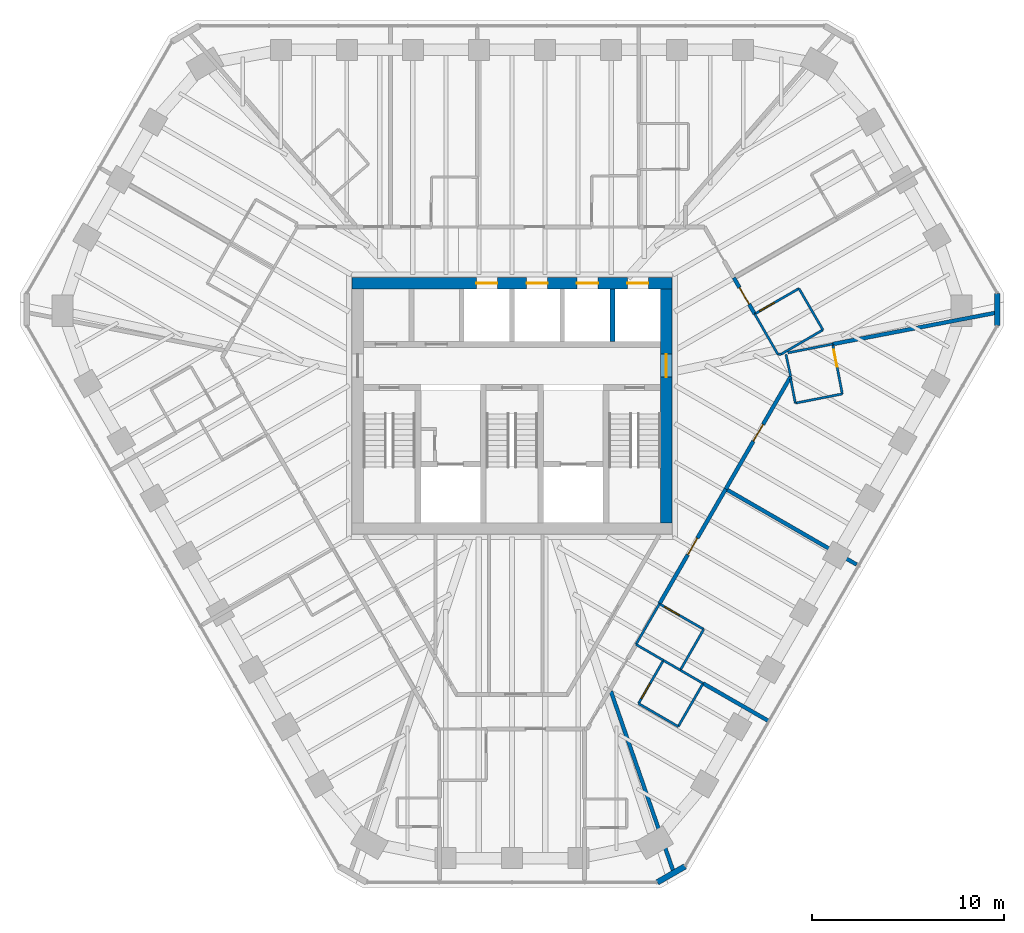
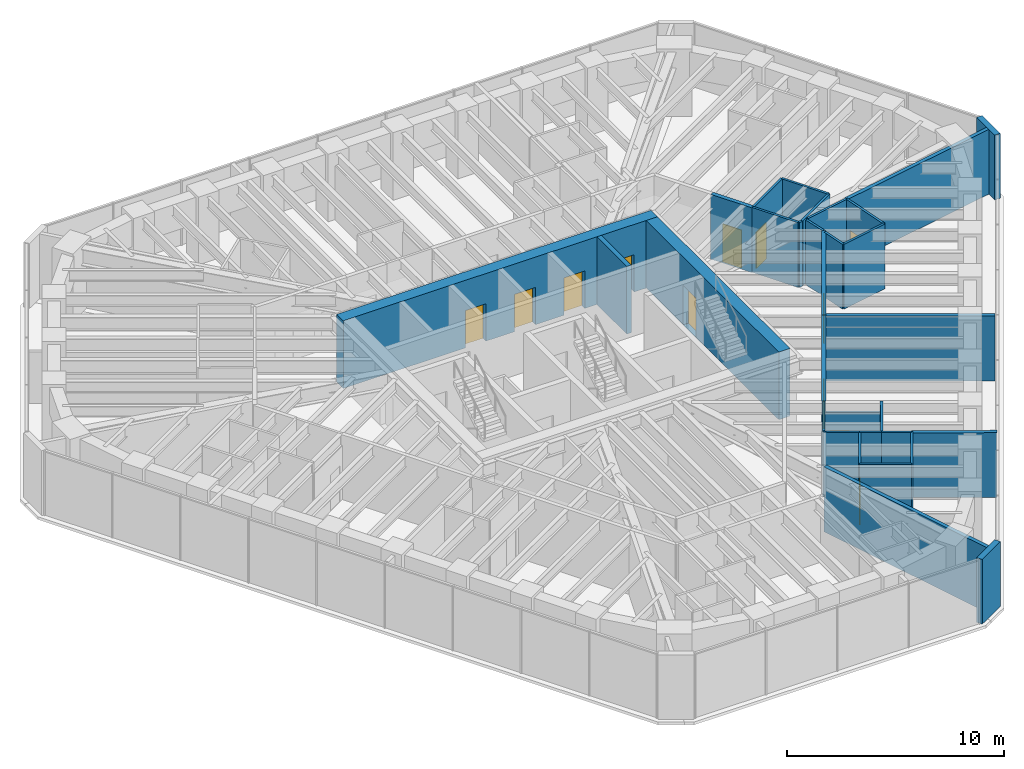
# One storey, part 11 of 14: 31 walls, 12 doors, 12 openings.
"""IFC4 building model written with IfcOpenShell, lengths in metres."""

from ifc_helpers import new_model, si_unit, direction, frame, frame_2d, origin, place, context, subcontext, project, spatial, rectangle, extrude, material, layer, layer_set, type_object, element, fill, save


model = new_model("IFC4")

# Units and contexts
model_context = context("Model", 3, precision=1e-05, world=origin(), true_north=direction((0.0, 1.0)))
body_context = subcontext(model_context, "Body", "Model", "MODEL_VIEW")
ifc_project = project(units=[si_unit("LENGTHUNIT", "METRE"), si_unit("AREAUNIT", "SQUARE_METRE"), si_unit("VOLUMEUNIT", "CUBIC_METRE"), si_unit("PLANEANGLEUNIT", "RADIAN"), si_unit("MASSUNIT", "GRAM", prefix="KILO")], contexts=[model_context])

# Site, building, storey
site_placement = place(None, origin())
site = spatial("IfcSite", under=ifc_project, at=site_placement, CompositionType="ELEMENT")
building_placement = place(site_placement, origin())
building = spatial("IfcBuilding", under=site, at=building_placement, Name="Sandreach Pilgrim Tower", CompositionType="ELEMENT")
storey_placement = place(building_placement, frame((0.0, 0.0, 268.39990234375)))
storey = spatial("IfcBuildingStorey", under=building, at=storey_placement, Name="L67", CompositionType="ELEMENT", Elevation=268.39990234375)

# Walls
ifc_material_1 = material(Name="Moisture-resistant gypsum board on steel studs", Category="steel")
ifc_layer_1 = layer(ifc_material_1, 0.1201171875)
ifc_layer_set_1 = layer_set([ifc_layer_1], Name="Bathroom partition 120")
wall_type_1 = type_object("IfcWallType", Name="Bathroom partition 120", PredefinedType="PARTITIONING", material=ifc_layer_set_1)
wall_1_placement = place(storey_placement, frame((6.46728515625, -12.448486328125, 0.0), z_axis=(0.0, 0.0, 1.0), x_axis=(0.499875104448, 0.866097500258, 0.0)))
element("IfcWall", 1, at=wall_1_placement, inside=storey, type_object=wall_type_1, Name="Bathroom partition L67-080", PredefinedType="PARTITIONING", context=body_context, shape_type="SweptSolid", body=[
    extrude(rectangle(XDim=2.446044921875, YDim=0.1201171875, at=frame_2d((1.22314453125, 0.0))), origin(), (0.0, 0.0, 1.0), 3.64013671875),
])
wall_2_placement = place(storey_placement, frame((6.469970703125, -12.449951171875, 0.0), z_axis=(0.0, 0.0, 1.0), x_axis=(0.864842719649, -0.502042896843, 0.0)))
element("IfcWall", 2, at=wall_2_placement, inside=storey, type_object=wall_type_1, Name="Bathroom partition L67-081", PredefinedType="PARTITIONING", context=body_context, shape_type="SweptSolid", body=[
    extrude(rectangle(XDim=1.6533203125, YDim=0.1201171875, at=frame_2d((0.82666015625, 0.0))), origin(), (0.0, 0.0, 1.0), 3.64013671875),
])
wall_3_placement = place(storey_placement, frame((6.60009765625, -15.530029296875, 0.0), z_axis=(0.0, 0.0, 1.0), x_axis=(0.865130376012, -0.501547039172, 0.0)))
element("IfcWall", 3, at=wall_3_placement, inside=storey, type_object=wall_type_1, Name="Bathroom partition L67-082", PredefinedType="PARTITIONING", context=body_context, shape_type="SweptSolid", body=[
    extrude(rectangle(XDim=2.392578125, YDim=0.1201171875, at=frame_2d((1.1962890625, 0.0))), origin(), (0.0, 0.0, 1.0), 3.64013671875),
])

# Wall, opening, door
wall_4_placement = place(storey_placement, frame((7.89990234375, -13.280029296875, 0.0), z_axis=(0.0, 0.0, 1.0), x_axis=(-0.500221244143, -0.865897630733, 0.0)))
wall_4 = element("IfcWall", 4, at=wall_4_placement, inside=storey, type_object=wall_type_1, Name="Bathroom partition L67-093", PredefinedType="PARTITIONING", context=body_context, shape_type="SweptSolid", body=[
    extrude(rectangle(XDim=2.598388671875, YDim=0.1201171875, at=frame_2d((1.29931640625, 0.0))), origin(), (0.0, 0.0, 1.0), 3.64013671875),
])
opening_1_placement = place(wall_4_placement, frame((1.398681640625, 0.0, 0.0)))
opening_1 = element("IfcOpeningElement", 5, at=opening_1_placement, cuts=wall_4, Name="Opening D09-09B", PredefinedType="OPENING", context=body_context, shape_type="SweptSolid", body=[
    extrude(rectangle(XDim=0.89990234375, YDim=2.030029296875, at=frame_2d((0.449951171875, 1.01513671875))), frame((0.0, 0.06005859375, 0.0), z_axis=(0.0, -1.0, 0.0), x_axis=(1.0, 0.0, 0.0)), (0.0, 0.0, 1.0), 0.1201171875),
])
ifc_material_2 = material(Name="Timber door, steel frame", Category="steel")
door_type_1 = type_object("IfcDoorType", Name="Bathroom door", OperationType="SINGLE_SWING_LEFT", PredefinedType="DOOR", material=ifc_material_2)
door_1_placement = place(opening_1_placement, origin())
door_1 = element("IfcDoor", 6, at=door_1_placement, inside=storey, type_object=door_type_1, Name="Door 6709B", OperationType="SINGLE_SWING_RIGHT", OverallHeight=2.030029296875, OverallWidth=0.89990234375, PredefinedType="DOOR", context=body_context, shape_type="SweptSolid", body=[
    extrude(rectangle(XDim=0.89990234375, YDim=2.030029296875, at=frame_2d((0.449951171875, 1.01513671875))), frame((0.0, 0.02490234375, 0.0), z_axis=(0.0, -1.0, 0.0), x_axis=(1.0, 0.0, 0.0)), (0.0, 0.0, 1.0), 0.050048828125),
])
fill(opening_1, door_1)

# Walls
wall_5_placement = place(storey_placement, frame((7.89990234375, -13.280029296875, 0.0), z_axis=(0.0, 0.0, 1.0), x_axis=(0.86522903342, -0.501376824082, 0.0)))
element("IfcWall", 7, at=wall_5_placement, inside=storey, type_object=wall_type_1, Name="Bathroom partition L67-094", PredefinedType="PARTITIONING", context=body_context, shape_type="SweptSolid", body=[
    extrude(rectangle(XDim=1.017333984375, YDim=0.1201171875, at=frame_2d((0.5087890625, 0.0))), origin(), (0.0, 0.0, 1.0), 3.64013671875),
])
wall_6_placement = place(storey_placement, frame((8.669921875, -16.72998046875, 0.0), z_axis=(0.0, 0.0, 1.0), x_axis=(0.500291685314, 0.865856933682, 0.0)))
element("IfcWall", 8, at=wall_6_placement, inside=storey, type_object=wall_type_1, Name="Bathroom partition L67-096", PredefinedType="PARTITIONING", context=body_context, shape_type="SweptSolid", body=[
    extrude(rectangle(XDim=2.5986328125, YDim=0.1201171875, at=frame_2d((1.29931640625, 0.0))), origin(), (0.0, 0.0, 1.0), 3.64013671875),
])
wall_7_placement = place(storey_placement, frame((8.780029296875, -13.7900390625, 0.0), z_axis=(0.0, 0.0, 1.0), x_axis=(0.865102050426, -0.501595895466, 0.0)))
element("IfcWall", 9, at=wall_7_placement, inside=storey, type_object=wall_type_1, Name="Bathroom partition L67-097", PredefinedType="PARTITIONING", context=body_context, shape_type="SweptSolid", body=[
    extrude(rectangle(XDim=1.37548828125, YDim=0.1201171875, at=frame_2d((0.687744140625, 0.0))), origin(), (0.0, 0.0, 1.0), 3.64013671875),
])
wall_8_placement = place(storey_placement, frame((8.780029296875, -13.7900390625, 0.0), z_axis=(0.0, 0.0, 1.0), x_axis=(0.497027744361, 0.86773464915, 0.0)))
element("IfcWall", 10, at=wall_8_placement, inside=storey, type_object=wall_type_1, Name="Bathroom partition L67-098", PredefinedType="PARTITIONING", context=body_context, shape_type="SweptSolid", body=[
    extrude(rectangle(XDim=2.45458984375, YDim=0.1201171875, at=frame_2d((1.227294921875, 0.0))), origin(), (0.0, 0.0, 1.0), 3.64013671875),
])

# Wall, opening, door
wall_9_placement = place(storey_placement, frame((10.0, -11.659912109375, 0.0), z_axis=(0.0, 0.0, 1.0), x_axis=(-0.866654860089, 0.498908161372, 0.0)))
wall_9 = element("IfcWall", 11, at=wall_9_placement, inside=storey, type_object=wall_type_1, Name="Bathroom partition L67-103", PredefinedType="PARTITIONING", context=body_context, shape_type="SweptSolid", body=[
    extrude(rectangle(XDim=2.66552734375, YDim=0.1201171875, at=frame_2d((1.332763671875, 0.0))), origin(), (0.0, 0.0, 1.0), 3.02294921875),
])
opening_2_placement = place(wall_9_placement, frame((1.465576171875, 0.0, 0.0)))
opening_2 = element("IfcOpeningElement", 12, at=opening_2_placement, cuts=wall_9, Name="Opening D09-08B", PredefinedType="OPENING", context=body_context, shape_type="SweptSolid", body=[
    extrude(rectangle(XDim=0.89990234375, YDim=2.030029296875, at=frame_2d((0.449951171875, 1.01513671875))), frame((0.0, 0.06005859375, 0.0), z_axis=(0.0, -1.0, 0.0), x_axis=(1.0, 0.0, 0.0)), (0.0, 0.0, 1.0), 0.1201171875),
])
door_2_placement = place(opening_2_placement, origin())
door_2 = element("IfcDoor", 13, at=door_2_placement, inside=storey, type_object=door_type_1, Name="Door 6708B", OperationType="SINGLE_SWING_RIGHT", OverallHeight=2.030029296875, OverallWidth=0.89990234375, PredefinedType="DOOR", context=body_context, shape_type="SweptSolid", body=[
    extrude(rectangle(XDim=0.89990234375, YDim=2.030029296875, at=frame_2d((0.449951171875, 1.01513671875))), frame((0.0, 0.02490234375, 0.0), z_axis=(0.0, -1.0, 0.0), x_axis=(1.0, 0.0, 0.0)), (0.0, 0.0, 1.0), 0.050048828125),
])
fill(opening_2, door_2)

# Walls
wall_10_placement = place(storey_placement, frame((12.659912109375, 4.7900390625, 0.0), z_axis=(0.0, 0.0, 1.0), x_axis=(0.498748634132, -0.866746675766, 0.0)))
element("IfcWall", 14, at=wall_10_placement, inside=storey, type_object=wall_type_1, Name="Bathroom partition L67-109", PredefinedType="PARTITIONING", context=body_context, shape_type="SweptSolid", body=[
    extrude(rectangle(XDim=2.446044921875, YDim=0.1201171875, at=frame_2d((1.22314453125, 0.0))), origin(), (0.0, 0.0, 1.0), 3.64013671875),
])
wall_11_placement = place(storey_placement, frame((14.0478515625, 2.70361328125, 0.0), z_axis=(0.0, 0.0, 1.0), x_axis=(-0.981954528773, -0.189117168504, 0.0)))
element("IfcWall", 15, at=wall_11_placement, inside=storey, type_object=wall_type_1, Name="Bathroom partition L67-110", PredefinedType="PARTITIONING", context=body_context, shape_type="SweptSolid", body=[
    extrude(rectangle(XDim=0.167724609375, YDim=0.1201171875, at=frame_2d((0.083984375, 0.0))), origin(), (0.0, 0.0, 1.0), 3.64013671875),
])
wall_12_placement = place(storey_placement, frame((14.050048828125, 2.699951171875, 0.0), z_axis=(0.0, 0.0, 1.0), x_axis=(0.864779406007, 0.502151948065, 0.0)))
element("IfcWall", 16, at=wall_12_placement, inside=storey, type_object=wall_type_1, Name="Bathroom partition L67-111", PredefinedType="PARTITIONING", context=body_context, shape_type="SweptSolid", body=[
    extrude(rectangle(XDim=2.50927734375, YDim=0.1201171875, at=frame_2d((1.254638671875, 0.0))), origin(), (0.0, 0.0, 1.0), 3.64013671875),
])
wall_13_placement = place(storey_placement, frame((14.537109375, 1.401611328125, 0.0), z_axis=(0.0, 0.0, 1.0), x_axis=(0.189058811395, -0.981965766121, 0.0)))
element("IfcWall", 17, at=wall_13_placement, inside=storey, type_object=wall_type_1, Name="Bathroom partition L67-112", PredefinedType="PARTITIONING", context=body_context, shape_type="SweptSolid", body=[
    extrude(rectangle(XDim=1.284912109375, YDim=0.1201171875, at=frame_2d((0.642578125, 0.0))), origin(), (0.0, 0.0, 1.0), 3.64013671875),
])
wall_14_placement = place(storey_placement, frame((14.540283203125, 1.531494140625, 0.0), z_axis=(0.0, 0.0, 1.0), x_axis=(-0.213239076566, 0.977000049245, 0.0)))
element("IfcWall", 18, at=wall_14_placement, inside=storey, type_object=wall_type_1, Name="Bathroom partition L67-113", PredefinedType="PARTITIONING", context=body_context, shape_type="SweptSolid", body=[
    extrude(rectangle(XDim=1.177001953125, YDim=0.1201171875, at=frame_2d((0.58837890625, 0.0))), origin(), (0.0, 0.0, 1.0), 3.64013671875),
])
wall_15_placement = place(storey_placement, frame((14.780029296875, 0.139892578125, 0.0), z_axis=(0.0, 0.0, 1.0), x_axis=(0.981325695508, 0.192353526962, 0.0)))
element("IfcWall", 19, at=wall_15_placement, inside=storey, type_object=wall_type_1, Name="Bathroom partition L67-114", PredefinedType="PARTITIONING", context=body_context, shape_type="SweptSolid", body=[
    extrude(rectangle(XDim=2.49658203125, YDim=0.1201171875, at=frame_2d((1.248291015625, 0.0))), origin(), (0.0, 0.0, 1.0), 3.64013671875),
])

# Wall, opening, door
wall_16_placement = place(storey_placement, frame((14.969970703125, 6.1201171875, 0.0), z_axis=(0.0, 0.0, 1.0), x_axis=(-0.866615255992, -0.498976951453, 0.0)))
wall_16 = element("IfcWall", 20, at=wall_16_placement, inside=storey, type_object=wall_type_1, Name="Bathroom partition L67-115", PredefinedType="PARTITIONING", context=body_context, shape_type="SweptSolid", body=[
    extrude(rectangle(XDim=2.66552734375, YDim=0.1201171875, at=frame_2d((1.332763671875, 0.0))), origin(), (0.0, 0.0, 1.0), 3.64013671875),
])
opening_3_placement = place(wall_16_placement, frame((1.465576171875, 0.0, 0.0)))
opening_3 = element("IfcOpeningElement", 21, at=opening_3_placement, cuts=wall_16, Name="Opening D09-06B", PredefinedType="OPENING", context=body_context, shape_type="SweptSolid", body=[
    extrude(rectangle(XDim=0.89990234375, YDim=2.030029296875, at=frame_2d((0.449951171875, 1.01513671875))), frame((0.0, 0.06005859375, 0.0), z_axis=(0.0, -1.0, 0.0), x_axis=(1.0, 0.0, 0.0)), (0.0, 0.0, 1.0), 0.1201171875),
])
door_3_placement = place(opening_3_placement, origin())
door_3 = element("IfcDoor", 22, at=door_3_placement, inside=storey, type_object=door_type_1, Name="Door 6706B", OperationType="SINGLE_SWING_RIGHT", OverallHeight=2.030029296875, OverallWidth=0.89990234375, PredefinedType="DOOR", context=body_context, shape_type="SweptSolid", body=[
    extrude(rectangle(XDim=0.89990234375, YDim=2.030029296875, at=frame_2d((0.449951171875, 1.01513671875))), frame((0.0, 0.02490234375, 0.0), z_axis=(0.0, -1.0, 0.0), x_axis=(1.0, 0.0, 0.0)), (0.0, 0.0, 1.0), 0.050048828125),
])
fill(opening_3, door_3)

# Walls
wall_17_placement = place(storey_placement, frame((16.219970703125, 3.9599609375, 0.0), z_axis=(0.0, 0.0, 1.0), x_axis=(-0.500893576935, 0.865508881864, 0.0)))
element("IfcWall", 23, at=wall_17_placement, inside=storey, type_object=wall_type_1, Name="Bathroom partition L67-117", PredefinedType="PARTITIONING", context=body_context, shape_type="SweptSolid", body=[
    extrude(rectangle(XDim=2.49560546875, YDim=0.1201171875, at=frame_2d((1.247802734375, 0.0))), origin(), (0.0, 0.0, 1.0), 3.64013671875),
])
wall_18_placement = place(storey_placement, frame((16.72998046875, 3.219970703125, 0.0), z_axis=(0.0, 0.0, 1.0), x_axis=(-0.981490592026, -0.19151035942, 0.0)))
element("IfcWall", 24, at=wall_18_placement, inside=storey, type_object=wall_type_1, Name="Bathroom partition L67-118", PredefinedType="PARTITIONING", context=body_context, shape_type="SweptSolid", body=[
    extrude(rectangle(XDim=2.386474609375, YDim=0.1201171875, at=frame_2d((1.193359375, 0.0))), origin(), (0.0, 0.0, 1.0), 3.64013671875),
])

# Wall, opening, door
wall_19_placement = place(storey_placement, frame((17.22998046875, 0.6201171875, 0.0), z_axis=(0.0, 0.0, 1.0), x_axis=(-0.18885765444, 0.982004473696, 0.0)))
wall_19 = element("IfcWall", 25, at=wall_19_placement, inside=storey, type_object=wall_type_1, Name="Bathroom partition L67-123", PredefinedType="PARTITIONING", context=body_context, shape_type="SweptSolid", body=[
    extrude(rectangle(XDim=2.6474609375, YDim=0.1201171875, at=frame_2d((1.32373046875, 0.0))), origin(), (0.0, 0.0, 1.0), 3.64013671875),
])
opening_4_placement = place(wall_19_placement, frame((1.447509765625, 0.0, 0.0)))
opening_4 = element("IfcOpeningElement", 26, at=opening_4_placement, cuts=wall_19, Name="Opening D09-07B", PredefinedType="OPENING", context=body_context, shape_type="SweptSolid", body=[
    extrude(rectangle(XDim=0.89990234375, YDim=2.030029296875, at=frame_2d((0.449951171875, 1.01513671875))), frame((0.0, 0.06005859375, 0.0), z_axis=(0.0, -1.0, 0.0), x_axis=(1.0, 0.0, 0.0)), (0.0, 0.0, 1.0), 0.1201171875),
])
door_4_placement = place(opening_4_placement, origin())
door_4 = element("IfcDoor", 27, at=door_4_placement, inside=storey, type_object=door_type_1, Name="Door 6707B", OperationType="SINGLE_SWING_RIGHT", OverallHeight=2.030029296875, OverallWidth=0.89990234375, PredefinedType="DOOR", context=body_context, shape_type="SweptSolid", body=[
    extrude(rectangle(XDim=0.89990234375, YDim=2.030029296875, at=frame_2d((0.449951171875, 1.01513671875))), frame((0.0, 0.02490234375, 0.0), z_axis=(0.0, -1.0, 0.0), x_axis=(1.0, 0.0, 0.0)), (0.0, 0.0, 1.0), 0.050048828125),
])
fill(opening_4, door_4)

# Wall, openings, doors
ifc_material_3 = material(Name="Concrete 10000 psi", Category="concrete")
ifc_layer_2 = layer(ifc_material_3, 0.60009765625)
ifc_layer_set_2 = layer_set([ifc_layer_2], Name="Core wall 600")
wall_type_2 = type_object("IfcWallType", Name="Core wall 600", PredefinedType="SHEAR", material=ifc_layer_set_2)
wall_20_placement = place(storey_placement, frame((-8.35009765625, 6.39990234375, 0.0), z_axis=(0.0, 0.0, 1.0), x_axis=(1.0, 0.0, 0.0)))
wall_20 = element("IfcWall", 28, at=wall_20_placement, inside=storey, type_object=wall_type_2, Name="Core wall N L67", PredefinedType="SHEAR", context=body_context, shape_type="SweptSolid", body=[
    extrude(rectangle(XDim=16.7001953125, YDim=0.60009765625, at=frame_2d((8.35009765625, 0.0))), origin(), (0.0, 0.0, 1.0), 3.800048828125),
])
opening_5_placement = place(wall_20_placement, frame((6.487548828125, 0.0, 0.0)))
opening_5 = element("IfcOpeningElement", 29, at=opening_5_placement, cuts=wall_20, Name="Opening LD11", PredefinedType="OPENING", context=body_context, shape_type="SweptSolid", body=[
    extrude(rectangle(XDim=1.10009765625, YDim=2.10009765625, at=frame_2d((0.550048828125, 1.050048828125))), frame((0.0, 0.300048828125, 0.0), z_axis=(0.0, -1.0, 0.0), x_axis=(1.0, 0.0, 0.0)), (0.0, 0.0, 1.0), 0.60009765625),
])
opening_6_placement = place(wall_20_placement, frame((9.112548828125, 0.0, 0.0)))
opening_6 = element("IfcOpeningElement", 30, at=opening_6_placement, cuts=wall_20, Name="Opening LD11", PredefinedType="OPENING", context=body_context, shape_type="SweptSolid", body=[
    extrude(rectangle(XDim=1.10009765625, YDim=2.10009765625, at=frame_2d((0.550048828125, 1.050048828125))), frame((0.0, 0.300048828125, 0.0), z_axis=(0.0, -1.0, 0.0), x_axis=(1.0, 0.0, 0.0)), (0.0, 0.0, 1.0), 0.60009765625),
])
opening_7_placement = place(wall_20_placement, frame((11.737548828125, 0.0, 0.0)))
opening_7 = element("IfcOpeningElement", 31, at=opening_7_placement, cuts=wall_20, Name="Opening LD11", PredefinedType="OPENING", context=body_context, shape_type="SweptSolid", body=[
    extrude(rectangle(XDim=1.10009765625, YDim=2.10009765625, at=frame_2d((0.550048828125, 1.050048828125))), frame((0.0, 0.300048828125, 0.0), z_axis=(0.0, -1.0, 0.0), x_axis=(1.0, 0.0, 0.0)), (0.0, 0.0, 1.0), 0.60009765625),
])
opening_8_placement = place(wall_20_placement, frame((14.362548828125, 0.0, 0.0)))
opening_8 = element("IfcOpeningElement", 32, at=opening_8_placement, cuts=wall_20, Name="Opening LD11", PredefinedType="OPENING", context=body_context, shape_type="SweptSolid", body=[
    extrude(rectangle(XDim=1.10009765625, YDim=2.10009765625, at=frame_2d((0.550048828125, 1.050048828125))), frame((0.0, 0.300048828125, 0.0), z_axis=(0.0, -1.0, 0.0), x_axis=(1.0, 0.0, 0.0)), (0.0, 0.0, 1.0), 0.60009765625),
])
ifc_material_4 = material(Name="Steel door and frame", Category="steel")
door_type_2 = type_object("IfcDoorType", Name="Lift landing door", OperationType="DOUBLE_DOOR_SLIDING", PredefinedType="DOOR", material=ifc_material_4)
door_5_placement = place(opening_5_placement, origin())
door_5 = element("IfcDoor", 33, at=door_5_placement, inside=storey, type_object=door_type_2, Name="Lift landing door Z3A L67", OperationType="DOUBLE_DOOR_SLIDING", OverallHeight=2.10009765625, OverallWidth=1.10009765625, PredefinedType="DOOR", context=body_context, shape_type="SweptSolid", body=[
    extrude(rectangle(XDim=1.10009765625, YDim=2.10009765625, at=frame_2d((0.550048828125, 1.050048828125))), frame((0.0, 0.02490234375, 0.0), z_axis=(0.0, -1.0, 0.0), x_axis=(1.0, 0.0, 0.0)), (0.0, 0.0, 1.0), 0.050048828125),
])
fill(opening_5, door_5)
door_6_placement = place(opening_6_placement, origin())
door_6 = element("IfcDoor", 34, at=door_6_placement, inside=storey, type_object=door_type_2, Name="Lift landing door Z3B L67", OperationType="DOUBLE_DOOR_SLIDING", OverallHeight=2.10009765625, OverallWidth=1.10009765625, PredefinedType="DOOR", context=body_context, shape_type="SweptSolid", body=[
    extrude(rectangle(XDim=1.10009765625, YDim=2.10009765625, at=frame_2d((0.550048828125, 1.050048828125))), frame((0.0, 0.02490234375, 0.0), z_axis=(0.0, -1.0, 0.0), x_axis=(1.0, 0.0, 0.0)), (0.0, 0.0, 1.0), 0.050048828125),
])
fill(opening_6, door_6)
door_7_placement = place(opening_7_placement, origin())
door_7 = element("IfcDoor", 35, at=door_7_placement, inside=storey, type_object=door_type_2, Name="Lift landing door Z3C L67", OperationType="DOUBLE_DOOR_SLIDING", OverallHeight=2.10009765625, OverallWidth=1.10009765625, PredefinedType="DOOR", context=body_context, shape_type="SweptSolid", body=[
    extrude(rectangle(XDim=1.10009765625, YDim=2.10009765625, at=frame_2d((0.550048828125, 1.050048828125))), frame((0.0, 0.02490234375, 0.0), z_axis=(0.0, -1.0, 0.0), x_axis=(1.0, 0.0, 0.0)), (0.0, 0.0, 1.0), 0.050048828125),
])
fill(opening_7, door_7)
door_8_placement = place(opening_8_placement, origin())
door_8 = element("IfcDoor", 36, at=door_8_placement, inside=storey, type_object=door_type_2, Name="Lift landing door Z3D L67", OperationType="DOUBLE_DOOR_SLIDING", OverallHeight=2.10009765625, OverallWidth=1.10009765625, PredefinedType="DOOR", context=body_context, shape_type="SweptSolid", body=[
    extrude(rectangle(XDim=1.10009765625, YDim=2.10009765625, at=frame_2d((0.550048828125, 1.050048828125))), frame((0.0, 0.02490234375, 0.0), z_axis=(0.0, -1.0, 0.0), x_axis=(1.0, 0.0, 0.0)), (0.0, 0.0, 1.0), 0.050048828125),
])
fill(opening_8, door_8)

# Wall, opening, door
wall_21_placement = place(storey_placement, frame((8.050048828125, -6.10009765625, 0.0), z_axis=(0.0, 0.0, 1.0), x_axis=(0.0, 1.0, 0.0)))
wall_21 = element("IfcWall", 37, at=wall_21_placement, inside=storey, type_object=wall_type_2, Name="Core wall E L67", PredefinedType="SHEAR", context=body_context, shape_type="SweptSolid", body=[
    extrude(rectangle(XDim=12.2001953125, YDim=0.60009765625, at=frame_2d((6.10009765625, 0.0))), origin(), (0.0, 0.0, 1.0), 3.800048828125),
])
opening_9_placement = place(wall_21_placement, frame((7.60009765625, 0.0, 0.0)))
opening_9 = element("IfcOpeningElement", 38, at=opening_9_placement, cuts=wall_21, Name="Opening D12F-E", PredefinedType="OPENING", context=body_context, shape_type="SweptSolid", body=[
    extrude(rectangle(XDim=1.199951171875, YDim=2.199951171875, at=frame_2d((0.60009765625, 1.10009765625))), frame((0.0, 0.300048828125, 0.0), z_axis=(0.0, -1.0, 0.0), x_axis=(1.0, 0.0, 0.0)), (0.0, 0.0, 1.0), 0.60009765625),
])
ifc_material_5 = material(Name="Steel door and frame", Category="steel")
door_type_3 = type_object("IfcDoorType", Name="Fire lobby door", OperationType="SINGLE_SWING_LEFT", PredefinedType="DOOR", material=ifc_material_5)
door_9_placement = place(opening_9_placement, origin())
door_9 = element("IfcDoor", 39, at=door_9_placement, inside=storey, type_object=door_type_3, Name="Fire service lobby door E L67", OperationType="SINGLE_SWING_RIGHT", OverallHeight=2.199951171875, OverallWidth=1.199951171875, PredefinedType="DOOR", context=body_context, shape_type="SweptSolid", body=[
    extrude(rectangle(XDim=1.199951171875, YDim=2.199951171875, at=frame_2d((0.60009765625, 1.10009765625))), frame((0.0, 0.02490234375, 0.0), z_axis=(0.0, -1.0, 0.0), x_axis=(1.0, 0.0, 0.0)), (0.0, 0.0, 1.0), 0.050048828125),
])
fill(opening_9, door_9)

ifc_material_6 = material(Name="Gypsum board on steel studs, two layers each side", Category="steel")
ifc_layer_3 = layer(ifc_material_6, 0.199951171875)
ifc_layer_set_3 = layer_set([ifc_layer_3], Name="Corridor wall 200")
wall_type_3 = type_object("IfcWallType", Name="Corridor wall 200", PredefinedType="PARTITIONING", material=ifc_layer_set_3)
wall_22_placement = place(storey_placement, frame((7.68994140625, -10.330078125, 0.0), z_axis=(0.0, 0.0, 1.0), x_axis=(0.500177633683, 0.865922822637, 0.0)))
wall_22 = element("IfcWall", 40, at=wall_22_placement, inside=storey, type_object=wall_type_3, Name="Corridor wall L67-092", PredefinedType="PARTITIONING", context=body_context, shape_type="SweptSolid", body=[
    extrude(rectangle(XDim=6.91748046875, YDim=0.199951171875, at=frame_2d((3.458740234375, 0.0))), origin(), (0.0, 0.0, 1.0), 3.64013671875),
])
opening_10_placement = place(wall_22_placement, frame((2.958740234375, 0.0, 0.0)))
opening_10 = element("IfcOpeningElement", 41, at=opening_10_placement, cuts=wall_22, Name="Opening D10-08", PredefinedType="OPENING", context=body_context, shape_type="SweptSolid", body=[
    extrude(rectangle(XDim=1.0, YDim=2.1298828125, at=frame_2d((0.5, 1.06494140625))), frame((0.0, 0.10009765625, 0.0), z_axis=(0.0, -1.0, 0.0), x_axis=(1.0, 0.0, 0.0)), (0.0, 0.0, 1.0), 0.199951171875),
])
ifc_material_7 = material(Name="Steel door and frame", Category="steel")
door_type_4 = type_object("IfcDoorType", Name="Guest room entry door", OperationType="SINGLE_SWING_LEFT", PredefinedType="DOOR", material=ifc_material_7)
door_10_placement = place(opening_10_placement, origin())
door_10 = element("IfcDoor", 42, at=door_10_placement, inside=storey, type_object=door_type_4, Name="Door 6708", OperationType="SINGLE_SWING_LEFT", OverallHeight=2.1298828125, OverallWidth=1.0, PredefinedType="DOOR", context=body_context, shape_type="SweptSolid", body=[
    extrude(rectangle(XDim=1.0, YDim=2.1298828125, at=frame_2d((0.5, 1.06494140625))), frame((0.0, 0.02490234375, 0.0), z_axis=(0.0, -1.0, 0.0), x_axis=(1.0, 0.0, 0.0)), (0.0, 0.0, 1.0), 0.050048828125),
])
fill(opening_10, door_10)

wall_23_placement = place(storey_placement, frame((11.14990234375, -4.340087890625, 0.0), z_axis=(0.0, 0.0, 1.0), x_axis=(0.500113178326, 0.865960050386, 0.0)))
wall_23 = element("IfcWall", 43, at=wall_23_placement, inside=storey, type_object=wall_type_3, Name="Corridor wall L67-106", PredefinedType="PARTITIONING", context=body_context, shape_type="SweptSolid", body=[
    extrude(rectangle(XDim=6.77880859375, YDim=0.199951171875, at=frame_2d((3.389404296875, 0.0))), origin(), (0.0, 0.0, 1.0), 3.64013671875),
])
opening_11_placement = place(wall_23_placement, frame((2.889404296875, 0.0, 0.0)))
opening_11 = element("IfcOpeningElement", 44, at=opening_11_placement, cuts=wall_23, Name="Opening D10-07", PredefinedType="OPENING", context=body_context, shape_type="SweptSolid", body=[
    extrude(rectangle(XDim=1.0, YDim=2.1298828125, at=frame_2d((0.5, 1.06494140625))), frame((0.0, 0.10009765625, 0.0), z_axis=(0.0, -1.0, 0.0), x_axis=(1.0, 0.0, 0.0)), (0.0, 0.0, 1.0), 0.199951171875),
])
door_11_placement = place(opening_11_placement, origin())
door_11 = element("IfcDoor", 45, at=door_11_placement, inside=storey, type_object=door_type_4, Name="Door 6707", OperationType="SINGLE_SWING_LEFT", OverallHeight=2.1298828125, OverallWidth=1.0, PredefinedType="DOOR", context=body_context, shape_type="SweptSolid", body=[
    extrude(rectangle(XDim=1.0, YDim=2.1298828125, at=frame_2d((0.5, 1.06494140625))), frame((0.0, 0.02490234375, 0.0), z_axis=(0.0, -1.0, 0.0), x_axis=(1.0, 0.0, 0.0)), (0.0, 0.0, 1.0), 0.050048828125),
])
fill(opening_11, door_11)

wall_24_placement = place(storey_placement, frame((11.571044921875, 6.6806640625, 0.0), z_axis=(0.0, 0.0, 1.0), x_axis=(0.500374530646, -0.865809060406, 0.0)))
wall_24 = element("IfcWall", 46, at=wall_24_placement, inside=storey, type_object=wall_type_3, Name="Corridor wall L67-107", PredefinedType="PARTITIONING", context=body_context, shape_type="SweptSolid", body=[
    extrude(rectangle(XDim=2.181884765625, YDim=0.199951171875, at=frame_2d((1.0908203125, 0.0))), origin(), (0.0, 0.0, 1.0), 3.64013671875),
])
opening_12_placement = place(wall_24_placement, frame((0.5908203125, 0.0, 0.0)))
opening_12 = element("IfcOpeningElement", 47, at=opening_12_placement, cuts=wall_24, Name="Opening D10-06", PredefinedType="OPENING", context=body_context, shape_type="SweptSolid", body=[
    extrude(rectangle(XDim=1.0, YDim=2.1298828125, at=frame_2d((0.5, 1.06494140625))), frame((0.0, 0.10009765625, 0.0), z_axis=(0.0, -1.0, 0.0), x_axis=(1.0, 0.0, 0.0)), (0.0, 0.0, 1.0), 0.199951171875),
])
door_12_placement = place(opening_12_placement, origin())
door_12 = element("IfcDoor", 48, at=door_12_placement, inside=storey, type_object=door_type_4, Name="Door 6706", OperationType="SINGLE_SWING_LEFT", OverallHeight=2.1298828125, OverallWidth=1.0, PredefinedType="DOOR", context=body_context, shape_type="SweptSolid", body=[
    extrude(rectangle(XDim=1.0, YDim=2.1298828125, at=frame_2d((0.5, 1.06494140625))), frame((0.0, 0.02490234375, 0.0), z_axis=(0.0, -1.0, 0.0), x_axis=(1.0, 0.0, 0.0)), (0.0, 0.0, 1.0), 0.050048828125),
])
fill(opening_12, door_12)

# Walls
ifc_material_8 = material(Name="Double steel stud acoustic wall, gypsum board", Category="steel")
ifc_layer_4 = layer(ifc_material_8, 0.199951171875)
ifc_layer_set_4 = layer_set([ifc_layer_4], Name="Party wall 200")
wall_type_4 = type_object("IfcWallType", Name="Party wall 200", PredefinedType="PARTITIONING", material=ifc_layer_set_4)
wall_25_placement = place(storey_placement, frame((8.4501953125, -24.381591796875, 0.0), z_axis=(0.0, 0.0, 1.0), x_axis=(-0.327686879249, 0.944786382823, 0.0)))
element("IfcWall", 49, at=wall_25_placement, inside=storey, type_object=wall_type_4, Name="Party wall L67-095", PredefinedType="PARTITIONING", context=body_context, shape_type="SweptSolid", body=[
    extrude(rectangle(XDim=10.052978515625, YDim=0.199951171875, at=frame_2d((5.0263671875, 0.0))), origin(), (0.0, 0.0, 1.0), 3.64013671875),
])
wall_26_placement = place(storey_placement, frame((9.969970703125, -14.47998046875, 0.0), z_axis=(0.0, 0.0, 1.0), x_axis=(0.867154119852, -0.498039890395, 0.0)))
element("IfcWall", 50, at=wall_26_placement, inside=storey, type_object=wall_type_4, Name="Party wall L67-102", PredefinedType="PARTITIONING", context=body_context, shape_type="SweptSolid", body=[
    extrude(rectangle(XDim=3.925537109375, YDim=0.199951171875, at=frame_2d((1.962890625, 0.0))), origin(), (0.0, 0.0, 1.0), 3.64013671875),
])
wall_27_placement = place(storey_placement, frame((16.72998046875, 3.219970703125, 0.0), z_axis=(0.0, 0.0, 1.0), x_axis=(0.982039995549, 0.188672857462, 0.0)))
element("IfcWall", 51, at=wall_27_placement, inside=storey, type_object=wall_type_4, Name="Party wall L67-119", PredefinedType="PARTITIONING", context=body_context, shape_type="SweptSolid", body=[
    extrude(rectangle(XDim=8.76806640625, YDim=0.199951171875, at=frame_2d((4.384033203125, 0.0))), origin(), (0.0, 0.0, 1.0), 3.64013671875),
])
wall_28_placement = place(storey_placement, frame((17.97607421875, -8.280029296875, 0.0), z_axis=(0.0, 0.0, 1.0), x_axis=(-0.866080683341, 0.499904240773, 0.0)))
element("IfcWall", 52, at=wall_28_placement, inside=storey, type_object=wall_type_4, Name="Party wall L67-125", PredefinedType="PARTITIONING", context=body_context, shape_type="SweptSolid", body=[
    extrude(rectangle(XDim=7.86669921875, YDim=0.199951171875, at=frame_2d((3.933349609375, 0.0))), origin(), (0.0, 0.0, 1.0), 3.64013671875),
])
ifc_material_9 = material(Name="Gypsum shaft wall on steel studs, two layers of shaft liner board", Category="steel")
ifc_layer_5 = layer(ifc_material_9, 0.25)
ifc_layer_set_5 = layer_set([ifc_layer_5], Name="Shaft partition 250")
wall_type_5 = type_object("IfcWallType", Name="Shaft partition 250", PredefinedType="PARTITIONING", material=ifc_layer_set_5)
wall_29_placement = place(storey_placement, frame((5.25, 3.35009765625, 0.0), z_axis=(0.0, 0.0, 1.0), x_axis=(0.0, 1.0, 0.0)))
element("IfcWall", 53, at=wall_29_placement, inside=storey, type_object=wall_type_5, Name="Shaft partition NS4 L67", PredefinedType="PARTITIONING", context=body_context, shape_type="SweptSolid", body=[
    extrude(rectangle(XDim=2.75, YDim=0.25, at=frame_2d((1.375, 0.0))), origin(), (0.0, 0.0, 1.0), 3.800048828125),
])
ifc_material_10 = material(Name="Terracotta rainscreen on concrete", Category="masonry")
ifc_layer_6 = layer(ifc_material_10, 0.300048828125)
ifc_layer_set_6 = layer_set([ifc_layer_6], Name="Terracotta chamfer pier")
wall_type_6 = type_object("IfcWallType", Name="Terracotta chamfer pier", PredefinedType="SOLIDWALL", material=ifc_layer_set_6)
for number, where, z_axis, x_axis, name in (
    (54, (25.3193359375, 5.861572265625, 0.0), (0.0, 0.0, 1.0), (0.0, -1.0, 0.0), "Chamfer pier L67 NE"),
    (55, (9.02099609375, -24.028076171875, 0.0), (0.0, 0.0, 1.0), (-0.865989634427, -0.500061949227, 0.0), "Chamfer pier L67 SE"),
):
    element("IfcWall", number, at=place(storey_placement, frame(where, z_axis=z_axis, x_axis=x_axis)), inside=storey, type_object=wall_type_6, Name=name, PredefinedType="SOLIDWALL", context=body_context, shape_type="SweptSolid", body=[
        extrude(rectangle(XDim=1.659912109375, YDim=0.300048828125, at=frame_2d((0.830078125, 0.0))), origin(), (0.0, 0.0, 1.0), 3.64013671875),
    ])

save(model, "model.ifc")
